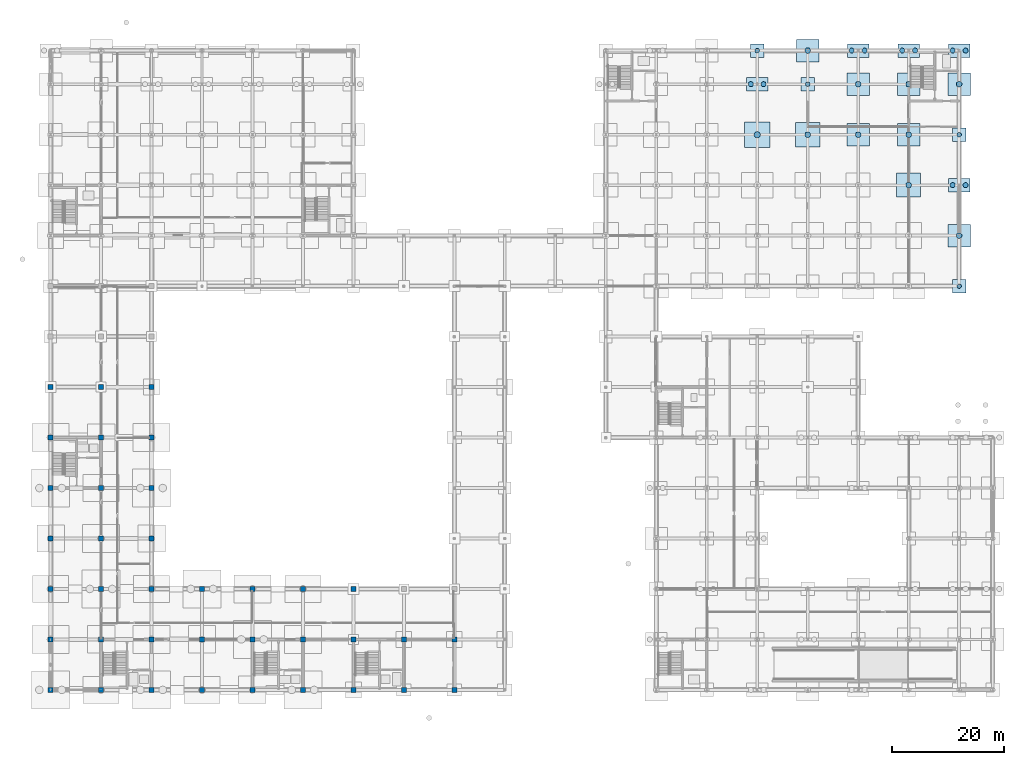
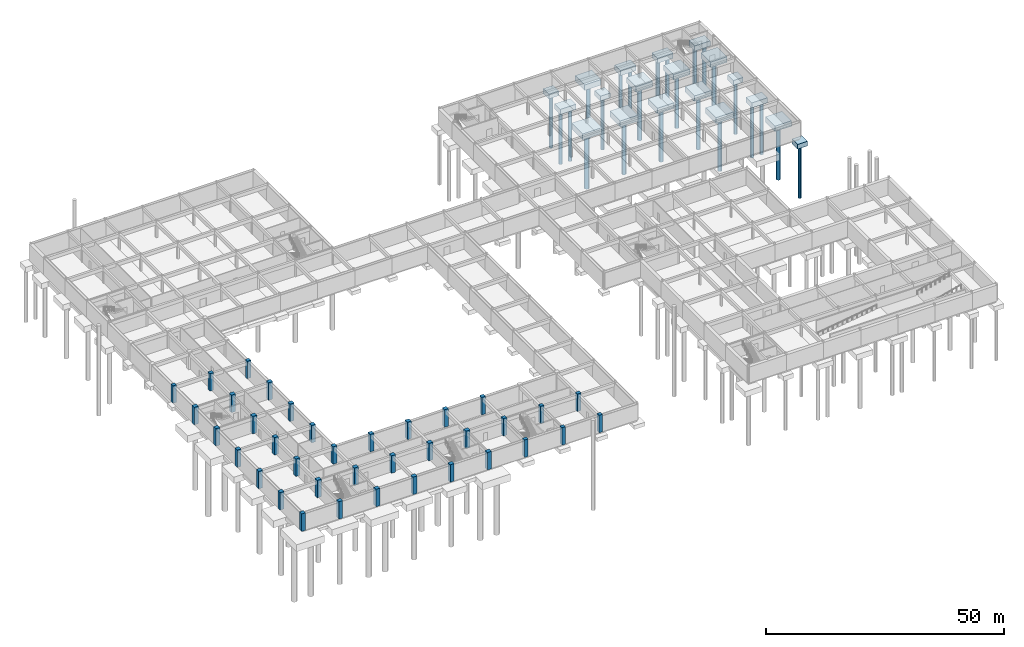
# One storey, part 4 of 41: 37 columns, 24 piles, 19 footings.
"""IFC4 building model written with IfcOpenShell, lengths in metres."""

import ifcopenshell
import ifcopenshell.guid

model = None  # the IFC model being written
_history = None  # IfcOwnerHistory: only IFC2X3 demands one
_inside = {}  # id of a spatial element -> (the spatial element, [elements in it])
_under = {}  # id of a project, library or spatial element -> (it, [spatial elements below it])
_declared = {}  # id of a project -> (the project, [libraries it declares])
_typed = {}  # id of a type object -> (the type object, [elements of that type])
_made_of = {}  # id of a material, layer set ... -> (it, [elements and type objects made of it])


def new_model(schema):
    """Start an empty IFC model of exactly this schema.

    Asked for "IFC4X3", IfcOpenShell would pick the latest addendum, in which some entities
    have other attributes; the version numbers below select the first issue.
    IFC2X3 requires an IfcOwnerHistory on every rooted entity: one is made here for all.
    """
    global model, _history
    if schema == "IFC4X3":
        model = ifcopenshell.file(schema_version=(4, 3, 0, 0))
    else:
        model = ifcopenshell.file(schema=schema)
    _inside.clear()
    _under.clear()
    _declared.clear()
    _typed.clear()
    _made_of.clear()
    _history = None
    if model.schema == "IFC2X3":
        org = make("IfcOrganization", Name="unknown")
        user = make(
            "IfcPersonAndOrganization",
            ThePerson=make("IfcPerson", FamilyName="unknown"),
            TheOrganization=org,
        )
        app = make(
            "IfcApplication",
            ApplicationDeveloper=org,
            Version="unknown",
            ApplicationFullName="unknown",
            ApplicationIdentifier="unknown",
        )
        _history = make(
            "IfcOwnerHistory",
            OwningUser=user,
            OwningApplication=app,
            ChangeAction="ADDED",
            CreationDate=0,
        )
    return model


def make(cls, **values):
    """One entity of the class cls with the attributes given. An attribute that is None is left unset."""
    return model.create_entity(
        cls, **{name: value for name, value in values.items() if value is not None}
    )


def rooted(cls, **values):
    """An entity with a GlobalId (a new one), such as an element, a storey or a relation."""
    return make(cls, GlobalId=ifcopenshell.guid.new(), OwnerHistory=_history, **values)


def si_unit(unit_type, name, prefix=None):
    """IfcSIUnit, for example si_unit("LENGTHUNIT", "METRE", prefix="MILLI")."""
    return make("IfcSIUnit", UnitType=unit_type, Prefix=prefix, Name=name)


def assignment(units):
    """IfcUnitAssignment: the units of a project."""
    return None if units is None else make("IfcUnitAssignment", Units=units)


def point(xyz):
    """IfcCartesianPoint."""
    return None if xyz is None else make("IfcCartesianPoint", Coordinates=xyz)


def direction(xyz):
    """IfcDirection."""
    return None if xyz is None else make("IfcDirection", DirectionRatios=xyz)


def frame(location, z_axis=None, x_axis=None):
    """IfcAxis2Placement3D, a coordinate frame: its origin and axes. An axis left out is left unset."""
    return make(
        "IfcAxis2Placement3D",
        Location=point(location),
        Axis=direction(z_axis),
        RefDirection=direction(x_axis),
    )


def frame_2d(location, x_axis=None):
    """IfcAxis2Placement2D, a coordinate frame in the plane: its origin and x axis."""
    return make(
        "IfcAxis2Placement2D", Location=point(location), RefDirection=direction(x_axis)
    )


def origin():
    """The frame at (0, 0, 0) with its axes left unset."""
    return frame((0.0, 0.0, 0.0))


def origin_2d():
    """The frame at (0, 0) in the plane with its x axis left unset."""
    return frame_2d((0.0, 0.0))


def place(relative_to, where):
    """IfcLocalPlacement: puts the frame where relative to a parent placement (None: the world)."""
    return make(
        "IfcLocalPlacement", PlacementRelTo=relative_to, RelativePlacement=where
    )


def context(
    kind, dimensions, precision=None, world=None, true_north=None, identifier=None
):
    """IfcGeometricRepresentationContext, for example the 3D "Model" context."""
    return make(
        "IfcGeometricRepresentationContext",
        ContextIdentifier=identifier,
        ContextType=kind,
        CoordinateSpaceDimension=dimensions,
        Precision=precision,
        WorldCoordinateSystem=world,
        TrueNorth=true_north,
    )


def subcontext(parent, identifier, kind, view, scale=None):
    """IfcGeometricRepresentationSubContext, for example "Body" below "Model"."""
    return make(
        "IfcGeometricRepresentationSubContext",
        ContextIdentifier=identifier,
        ContextType=kind,
        ParentContext=parent,
        TargetScale=scale,
        TargetView=view,
    )


def project(units=None, contexts=None):
    """IfcProject with its units and contexts."""
    return rooted(
        "IfcProject",
        Name="project",
        RepresentationContexts=contexts,
        UnitsInContext=assignment(units),
    )


def spatial(cls, under=None, at=None, **own):
    """A site, building, storey or space (cls), placed at a placement, below another one or the project."""
    s = rooted(cls, ObjectPlacement=at, **own)
    if under is not None:
        _under.setdefault(under.id(), (under, []))[1].append(s)
    return s


def profile(cls, at=None, kind="AREA", **sizes):
    """A parametric profile (cls). Its sizes go by their IFC names, for example OverallWidth=200.0."""
    return make(cls, ProfileType=kind, Position=at, **sizes)


def rectangle(**sizes):
    """IfcRectangleProfileDef."""
    return profile("IfcRectangleProfileDef", **sizes)


def circle(**sizes):
    """IfcCircleProfileDef."""
    return profile("IfcCircleProfileDef", **sizes)


def extrude(swept, where, along, depth):
    """IfcExtrudedAreaSolid: the profile swept, set in the frame where, extruded along a direction by depth."""
    return make(
        "IfcExtrudedAreaSolid",
        SweptArea=swept,
        Position=where,
        ExtrudedDirection=direction(along),
        Depth=depth,
    )


def shape(context_of_items, identifier, shape_type, items):
    """IfcShapeRepresentation: the items that make up one representation, for example the "Body"."""
    return make(
        "IfcShapeRepresentation",
        ContextOfItems=context_of_items,
        RepresentationIdentifier=identifier,
        RepresentationType=shape_type,
        Items=items,
    )


def material(Name=None, Category=None):
    """IfcMaterial."""
    return make("IfcMaterial", Name=Name, Category=Category)


def material_profile(
    of_material, cross_section, Name=None, Category=None, Priority=None
):
    """IfcMaterialProfile: a cross section and its material."""
    return make(
        "IfcMaterialProfile",
        Name=Name,
        Material=of_material,
        Profile=cross_section,
        Priority=Priority,
        Category=Category,
    )


def profile_set(profiles, Name=None, composite=None):
    """IfcMaterialProfileSet."""
    return make(
        "IfcMaterialProfileSet",
        Name=Name,
        MaterialProfiles=profiles,
        CompositeProfile=composite,
    )


def made_of(thing, what):
    """Note that an element or type object is made of a material, layer set ...; save() writes the relation."""
    if what is not None:
        _made_of.setdefault(what.id(), (what, []))[1].append(thing)
    return thing


def type_object(cls, material=None, **own):
    """A type object (cls), such as IfcWallType, which elements share."""
    return made_of(rooted(cls, **own), material)


def element(
    cls,
    number,
    at=None,
    inside=None,
    cuts=None,
    type_object=None,
    material=None,
    context=None,
    identifier="Body",
    shape_type=None,
    held_by="IfcProductDefinitionShape",
    body=None,
    shapes=None,
    **own,
):
    """One element of the class cls, such as IfcWall. Its Tag is "e" and its number.

    at: its placement. inside: the storey or other place that contains it. cuts: it is an
    opening in that element (IfcRelVoidsElement). A single representation is given by context,
    identifier, shape_type and body (its items); several are given by shapes. held_by: the class
    of the entity that holds the representations. save() writes the other relations.
    """
    e = rooted(cls, Tag="e%d" % number, ObjectPlacement=at, **own)
    if body is not None:
        shapes = [shape(context, identifier, shape_type, body)]
    if shapes is not None:
        e.Representation = make(held_by, Representations=shapes)
    if inside is not None:
        _inside.setdefault(inside.id(), (inside, []))[1].append(e)
    if cuts is not None:
        rooted(
            "IfcRelVoidsElement", RelatingBuildingElement=cuts, RelatedOpeningElement=e
        )
    if type_object is not None:
        _typed.setdefault(type_object.id(), (type_object, []))[1].append(e)
    return made_of(e, material)


def aggregate(whole, parts):
    """IfcRelAggregates: a whole, such as a stair, and the parts it consists of."""
    return rooted("IfcRelAggregates", RelatingObject=whole, RelatedObjects=parts)


def save(model, path):
    """Write the relations noted so far, then the file.

    IfcRelAggregates (storeys below a building ...), IfcRelContainedInSpatialStructure (elements
    in a storey), IfcRelDefinesByType, IfcRelAssociatesMaterial and IfcRelDeclares: one each for
    every whole, place, type object, material and project.
    """
    for whole, parts in _under.values():
        aggregate(whole, parts)
    for where, things in _inside.values():
        rooted(
            "IfcRelContainedInSpatialStructure",
            RelatedElements=things,
            RelatingStructure=where,
        )
    for kind, things in _typed.values():
        rooted("IfcRelDefinesByType", RelatedObjects=things, RelatingType=kind)
    for what, things in _made_of.values():
        rooted("IfcRelAssociatesMaterial", RelatedObjects=things, RelatingMaterial=what)
    for by, libraries in _declared.values():
        rooted("IfcRelDeclares", RelatingContext=by, RelatedDefinitions=libraries)
    model.write(path)


model = new_model("IFC4")

# Units and contexts
model_context = context("Model", 3, precision=1e-05, world=origin(), true_north=direction((0.0, 1.0)))
body_context = subcontext(model_context, "Body", "Model", "MODEL_VIEW")
ifc_project = project(units=[si_unit("LENGTHUNIT", "METRE"), si_unit("AREAUNIT", "SQUARE_METRE"), si_unit("VOLUMEUNIT", "CUBIC_METRE"), si_unit("PLANEANGLEUNIT", "RADIAN"), si_unit("MASSUNIT", "GRAM", prefix="KILO")], contexts=[model_context])

# Site, building, storey
site_placement = place(None, origin())
site = spatial("IfcSite", under=ifc_project, at=site_placement, CompositionType="ELEMENT")
building_placement = place(site_placement, origin())
building = spatial("IfcBuilding", under=site, at=building_placement, Name="Palais des Congres Ocreval", CompositionType="ELEMENT")
storey_placement = place(building_placement, frame((0.0, 0.0, -8.9599609375)))
storey = spatial("IfcBuildingStorey", under=building, at=storey_placement, Name="B2", CompositionType="ELEMENT", Elevation=-8.9599609375)

# Piles
ifc_material_1 = material(Name="Concrete C35/45", Category="concrete")
ifc_material_profile_1 = material_profile(ifc_material_1, circle(Radius=0.5, at=origin_2d()), Name="BORED PILE 1000")
ifc_profile_set_1 = profile_set([ifc_material_profile_1], Name="Concrete C35/45")
pile_type_1 = type_object("IfcPileType", Name="Bored Pile D1000 Concrete C35/45", PredefinedType="BORED", material=ifc_profile_set_1)
for number, where, z_axis, x_axis, name in (
    (1, (135.0, 99.0, -2.10009765625), (0.0, 0.0, -1.0), (1.0, 0.0, 0.0), "Bored Pile PI03"),
    (2, (135.0, 114.0, -2.0), (0.0, 0.0, -1.0), (1.0, 0.0, 0.0), "Bored Pile PI03"),
    (3, (144.0, 99.0, -2.0), (0.0, 0.0, -1.0), (1.0, 0.0, 0.0), "Bored Pile PI03"),
    (4, (144.0, 108.0, -2.0), (0.0, 0.0, -1.0), (1.0, 0.0, 0.0), "Bored Pile PI03"),
    (5, (153.0, 90.0, -2.10009765625), (0.0, 0.0, -1.0), (1.0, 0.0, 0.0), "Bored Pile PI03"),
    (6, (153.0, 99.0, -2.0), (0.0, 0.0, -1.0), (1.0, 0.0, 0.0), "Bored Pile PI03"),
    (7, (153.0, 108.0, -2.0), (0.0, 0.0, -1.0), (1.0, 0.0, 0.0), "Bored Pile PI03"),
    (8, (162.0, 81.0, -2.0), (0.0, 0.0, -1.0), (1.0, 0.0, 0.0), "Bored Pile PI03"),
    (9, (162.0, 108.0, -2.0), (0.0, 0.0, -1.0), (1.0, 0.0, 0.0), "Bored Pile PI03"),
):
    element("IfcPile", number, at=place(storey_placement, frame(where, z_axis=z_axis, x_axis=x_axis)), inside=storey, type_object=pile_type_1, Name=name, PredefinedType="BORED", context=body_context, shape_type="SweptSolid", body=[
        extrude(circle(Radius=0.5, at=origin_2d()), origin(), (0.0, 0.0, 1.0), 14.0),
    ])
ifc_material_profile_2 = material_profile(ifc_material_1, circle(Radius=0.550048828125, at=origin_2d()), Name="BORED PILE 1100")
ifc_profile_set_2 = profile_set([ifc_material_profile_2], Name="Concrete C35/45")
pile_type_2 = type_object("IfcPileType", Name="Bored Pile D1100 Concrete C35/45", PredefinedType="BORED", material=ifc_profile_set_2)
pile_placement = place(storey_placement, frame((126.0, 99.0, -2.10009765625), z_axis=(0.0, 0.0, -1.0), x_axis=(1.0, 0.0, 0.0)))
element("IfcPile", 10, at=pile_placement, inside=storey, type_object=pile_type_2, Name="Bored Pile PI04", PredefinedType="BORED", context=body_context, shape_type="SweptSolid", body=[
    extrude(circle(Radius=0.550048828125, at=origin_2d()), origin(), (0.0, 0.0, 1.0), 14.5),
])
ifc_material_profile_3 = material_profile(ifc_material_1, circle(Radius=0.39990234375, at=origin_2d()), Name="BORED PILE 800")
ifc_profile_set_3 = profile_set([ifc_material_profile_3], Name="Concrete C35/45")
pile_type_3 = type_object("IfcPileType", Name="Bored Pile D800 Concrete C35/45", PredefinedType="BORED", material=ifc_profile_set_3)
for number, where, z_axis, x_axis, name in (
    (11, (126.0, 114.0, -1.800048828125), (0.0, 0.0, -1.0), (1.0, 0.0, 0.0), "Bored Pile PI01"),
    (12, (135.0, 108.0, -1.800048828125), (0.0, 0.0, -1.0), (1.0, 0.0, 0.0), "Bored Pile PI01"),
    (13, (162.0, 72.0, -1.800048828125), (0.0, 0.0, -1.0), (1.0, 0.0, 0.0), "Bored Pile PI01"),
    (14, (162.0, 99.0, -1.800048828125), (0.0, 0.0, -1.0), (1.0, 0.0, 0.0), "Bored Pile PI01"),
):
    element("IfcPile", number, at=place(storey_placement, frame(where, z_axis=z_axis, x_axis=x_axis)), inside=storey, type_object=pile_type_3, Name=name, PredefinedType="BORED", context=body_context, shape_type="SweptSolid", body=[
        extrude(circle(Radius=0.39990234375, at=origin_2d()), origin(), (0.0, 0.0, 1.0), 13.5),
    ])
ifc_material_profile_4 = material_profile(ifc_material_1, circle(Radius=0.449951171875, at=origin_2d()), Name="BORED PILE 900")
ifc_profile_set_4 = profile_set([ifc_material_profile_4], Name="Concrete C35/45")
pile_type_4 = type_object("IfcPileType", Name="Bored Pile D900 Concrete C35/45", PredefinedType="BORED", material=ifc_profile_set_4)
for number, where, z_axis, x_axis, name in (
    (15, (124.85009765625, 108.0, -1.900146484375), (0.0, 0.0, -1.0), (1.0, 0.0, 0.0), "Bored Pile PI02"),
    (16, (127.14990234375, 108.0, -1.900146484375), (0.0, 0.0, -1.0), (1.0, 0.0, 0.0), "Bored Pile PI02"),
    (17, (142.85009765625, 114.0, -1.900146484375), (0.0, 0.0, -1.0), (1.0, 0.0, 0.0), "Bored Pile PI02"),
    (18, (145.14990234375, 114.0, -1.900146484375), (0.0, 0.0, -1.0), (1.0, 0.0, 0.0), "Bored Pile PI02"),
    (19, (151.85009765625, 114.0, -1.900146484375), (0.0, 0.0, -1.0), (1.0, 0.0, 0.0), "Bored Pile PI02"),
    (20, (154.14990234375, 114.0, -1.900146484375), (0.0, 0.0, -1.0), (1.0, 0.0, 0.0), "Bored Pile PI02"),
    (21, (160.85009765625, 90.0, -1.900146484375), (0.0, 0.0, -1.0), (1.0, 0.0, 0.0), "Bored Pile PI02"),
    (22, (163.14990234375, 90.0, -1.900146484375), (0.0, 0.0, -1.0), (1.0, 0.0, 0.0), "Bored Pile PI02"),
    (23, (160.85009765625, 114.0, -1.900146484375), (0.0, 0.0, -1.0), (1.0, 0.0, 0.0), "Bored Pile PI02"),
    (24, (163.14990234375, 114.0, -1.900146484375), (0.0, 0.0, -1.0), (1.0, 0.0, 0.0), "Bored Pile PI02"),
):
    element("IfcPile", number, at=place(storey_placement, frame(where, z_axis=z_axis, x_axis=x_axis)), inside=storey, type_object=pile_type_4, Name=name, PredefinedType="BORED", context=body_context, shape_type="SweptSolid", body=[
        extrude(circle(Radius=0.449951171875, at=origin_2d()), origin(), (0.0, 0.0, 1.0), 13.5),
    ])

# Footings
footing_type_1 = type_object("IfcFootingType", Name="Pile Cap 2400x2400x1200 Concrete C35/45", PredefinedType="PILE_CAP", material=ifc_material_1)
for number, where, z_axis, x_axis, name in (
    (25, (126.0, 114.0, -1.7998046875), (0.0, 0.0, 1.0), (1.0, 0.0, 0.0), "Foundation PC01 (126,114)"),
    (26, (135.0, 108.0, -1.7998046875), (0.0, 0.0, 1.0), (1.0, 0.0, 0.0), "Foundation PC01 (135,108)"),
    (27, (162.0, 72.0, -1.7998046875), (0.0, 0.0, 1.0), (1.0, 0.0, 0.0), "Foundation PC01 (162,72)"),
    (28, (162.0, 99.0, -1.7998046875), (0.0, 0.0, 1.0), (1.0, 0.0, 0.0), "Foundation PC01 (162,99)"),
):
    element("IfcFooting", number, at=place(storey_placement, frame(where, z_axis=z_axis, x_axis=x_axis)), inside=storey, type_object=footing_type_1, Name=name, PredefinedType="PILE_CAP", context=body_context, shape_type="SweptSolid", body=[
        extrude(rectangle(XDim=2.39990234375, YDim=2.39990234375, at=origin_2d()), origin(), (0.0, 0.0, 1.0), 1.199951171875),
    ])
footing_type_2 = type_object("IfcFootingType", Name="Pile Cap 3800x2400x1300 Concrete C35/45", PredefinedType="PILE_CAP", material=ifc_material_1)
for number, where, z_axis, x_axis, name in (
    (29, (126.0, 108.0, -1.89990234375), (0.0, 0.0, 1.0), (1.0, 0.0, 0.0), "Foundation PC02 (126,108)"),
    (30, (144.0, 114.0, -1.89990234375), (0.0, 0.0, 1.0), (1.0, 0.0, 0.0), "Foundation PC02 (144,114)"),
    (31, (153.0, 114.0, -1.89990234375), (0.0, 0.0, 1.0), (1.0, 0.0, 0.0), "Foundation PC02 (153,114)"),
    (32, (162.0, 90.0, -1.89990234375), (0.0, 0.0, 1.0), (1.0, 0.0, 0.0), "Foundation PC02 (162,90)"),
    (33, (162.0, 114.0, -1.89990234375), (0.0, 0.0, 1.0), (1.0, 0.0, 0.0), "Foundation PC02 (162,114)"),
):
    element("IfcFooting", number, at=place(storey_placement, frame(where, z_axis=z_axis, x_axis=x_axis)), inside=storey, type_object=footing_type_2, Name=name, PredefinedType="PILE_CAP", context=body_context, shape_type="SweptSolid", body=[
        extrude(rectangle(XDim=3.800048828125, YDim=2.39990234375, at=origin_2d()), origin(), (0.0, 0.0, 1.0), 1.300048828125),
    ])
footing_type_3 = type_object("IfcFootingType", Name="Pile Cap 4000x4000x1400 Concrete C35/45", PredefinedType="PILE_CAP", material=ifc_material_1)
for number, where, z_axis, x_axis, name in (
    (34, (135.0, 114.0, -2.0), (0.0, 0.0, 1.0), (1.0, 0.0, 0.0), "Foundation PC03 (135,114)"),
    (35, (144.0, 99.0, -2.0), (0.0, 0.0, 1.0), (1.0, 0.0, 0.0), "Foundation PC03 (144,99)"),
    (36, (144.0, 108.0, -2.0), (0.0, 0.0, 1.0), (1.0, 0.0, 0.0), "Foundation PC03 (144,108)"),
    (37, (153.0, 99.0, -2.0), (0.0, 0.0, 1.0), (1.0, 0.0, 0.0), "Foundation PC03 (153,99)"),
    (38, (153.0, 108.0, -2.0), (0.0, 0.0, 1.0), (1.0, 0.0, 0.0), "Foundation PC03 (153,108)"),
    (39, (162.0, 81.0, -2.0), (0.0, 0.0, 1.0), (1.0, 0.0, 0.0), "Foundation PC03 (162,81)"),
    (40, (162.0, 108.0, -2.0), (0.0, 0.0, 1.0), (1.0, 0.0, 0.0), "Foundation PC03 (162,108)"),
):
    element("IfcFooting", number, at=place(storey_placement, frame(where, z_axis=z_axis, x_axis=x_axis)), inside=storey, type_object=footing_type_3, Name=name, PredefinedType="PILE_CAP", context=body_context, shape_type="SweptSolid", body=[
        extrude(rectangle(XDim=4.0, YDim=4.0, at=origin_2d()), origin(), (0.0, 0.0, 1.0), 1.39990234375),
    ])
footing_type_4 = type_object("IfcFootingType", Name="Pile Cap 4300x4300x1500 Concrete C35/45", PredefinedType="PILE_CAP", material=ifc_material_1)
for number, where, z_axis, x_axis, name in (
    (41, (135.0, 99.0, -2.10009765625), (0.0, 0.0, 1.0), (1.0, 0.0, 0.0), "Foundation PC04 (135,99)"),
    (42, (153.0, 90.0, -2.10009765625), (0.0, 0.0, 1.0), (1.0, 0.0, 0.0), "Foundation PC04 (153,90)"),
):
    element("IfcFooting", number, at=place(storey_placement, frame(where, z_axis=z_axis, x_axis=x_axis)), inside=storey, type_object=footing_type_4, Name=name, PredefinedType="PILE_CAP", context=body_context, shape_type="SweptSolid", body=[
        extrude(rectangle(XDim=4.300048828125, YDim=4.300048828125, at=origin_2d()), origin(), (0.0, 0.0, 1.0), 1.5),
    ])
footing_type_5 = type_object("IfcFootingType", Name="Pile Cap 4600x4600x1500 Concrete C35/45", PredefinedType="PILE_CAP", material=ifc_material_1)
footing_placement = place(storey_placement, frame((126.0, 99.0, -2.10009765625), z_axis=(0.0, 0.0, 1.0), x_axis=(1.0, 0.0, 0.0)))
element("IfcFooting", 43, at=footing_placement, inside=storey, type_object=footing_type_5, Name="Foundation PC05 (126,99)", PredefinedType="PILE_CAP", context=body_context, shape_type="SweptSolid", body=[
    extrude(rectangle(XDim=4.60009765625, YDim=4.60009765625, at=origin_2d()), origin(), (0.0, 0.0, 1.0), 1.5),
])

# Columns
ifc_material_2 = material(Name="Concrete C40/50", Category="concrete")
ifc_material_profile_5 = material_profile(ifc_material_2, rectangle(XDim=0.85009765625, YDim=0.85009765625, at=origin_2d()), Name="RC 850x850")
ifc_profile_set_5 = profile_set([ifc_material_profile_5], Name="Concrete C40/50")
column_type_1 = type_object("IfcColumnType", Name="Column RC 850x850 Concrete C40/50", PredefinedType="COLUMN", material=ifc_profile_set_5)
for number, where, z_axis, x_axis, name in (
    (44, (0.0, 54.0, 0.0), (0.0, 0.0, 1.0), (1.0, 0.0, 0.0), "Column C21 B2"),
    (45, (9.0, 54.0, 0.0), (0.0, 0.0, 1.0), (1.0, 0.0, 0.0), "Column C21 B2"),
    (46, (18.0, 54.0, 0.0), (0.0, 0.0, 1.0), (1.0, 0.0, 0.0), "Column C21 B2"),
    (47, (54.0, 0.0, 0.0), (0.0, 0.0, 1.0), (1.0, 0.0, 0.0), "Column C21 B2"),
    (48, (54.0, 9.0, 0.0), (0.0, 0.0, 1.0), (1.0, 0.0, 0.0), "Column C21 B2"),
    (49, (54.0, 18.0, 0.0), (0.0, 0.0, 1.0), (1.0, 0.0, 0.0), "Column C21 B2"),
    (50, (63.0, 0.0, 0.0), (0.0, 0.0, 1.0), (1.0, 0.0, 0.0), "Column C21 B2"),
    (51, (63.0, 9.0, 0.0), (0.0, 0.0, 1.0), (1.0, 0.0, 0.0), "Column C21 B2"),
    (52, (72.0, 0.0, 0.0), (0.0, 0.0, 1.0), (1.0, 0.0, 0.0), "Column C21 B2"),
    (53, (72.0, 9.0, 0.0), (0.0, 0.0, 1.0), (1.0, 0.0, 0.0), "Column C21 B2"),
):
    element("IfcColumn", number, at=place(storey_placement, frame(where, z_axis=z_axis, x_axis=x_axis)), inside=storey, type_object=column_type_1, Name=name, PredefinedType="COLUMN", context=body_context, shape_type="SweptSolid", body=[
        extrude(rectangle(XDim=0.85009765625, YDim=0.85009765625, at=origin_2d()), origin(), (0.0, 0.0, 1.0), 4.47998046875),
    ])
ifc_material_profile_6 = material_profile(ifc_material_2, rectangle(XDim=0.949951171875, YDim=0.949951171875, at=origin_2d()), Name="RC 950x950")
ifc_profile_set_6 = profile_set([ifc_material_profile_6], Name="Concrete C40/50")
column_type_2 = type_object("IfcColumnType", Name="Column RC 950x950 Concrete C40/50", PredefinedType="COLUMN", material=ifc_profile_set_6)
for number, where, z_axis, x_axis, name in (
    (54, (0.0, 0.0, 0.0), (0.0, 0.0, 1.0), (1.0, 0.0, 0.0), "Column C20 B2"),
    (55, (0.0, 9.0, 0.0), (0.0, 0.0, 1.0), (1.0, 0.0, 0.0), "Column C20 B2"),
    (56, (0.0, 18.0, 0.0), (0.0, 0.0, 1.0), (1.0, 0.0, 0.0), "Column C20 B2"),
    (57, (0.0, 27.0, 0.0), (0.0, 0.0, 1.0), (1.0, 0.0, 0.0), "Column C20 B2"),
    (58, (0.0, 36.0, 0.0), (0.0, 0.0, 1.0), (1.0, 0.0, 0.0), "Column C20 B2"),
    (59, (0.0, 45.0, 0.0), (0.0, 0.0, 1.0), (1.0, 0.0, 0.0), "Column C20 B2"),
    (60, (9.0, 0.0, 0.0), (0.0, 0.0, 1.0), (1.0, 0.0, 0.0), "Column C20 B2"),
    (61, (9.0, 9.0, 0.0), (0.0, 0.0, 1.0), (1.0, 0.0, 0.0), "Column C20 B2"),
    (62, (9.0, 18.0, 0.0), (0.0, 0.0, 1.0), (1.0, 0.0, 0.0), "Column C20 B2"),
    (63, (9.0, 27.0, 0.0), (0.0, 0.0, 1.0), (1.0, 0.0, 0.0), "Column C20 B2"),
    (64, (9.0, 36.0, 0.0), (0.0, 0.0, 1.0), (1.0, 0.0, 0.0), "Column C20 B2"),
    (65, (9.0, 45.0, 0.0), (0.0, 0.0, 1.0), (1.0, 0.0, 0.0), "Column C20 B2"),
    (66, (18.0, 0.0, 0.0), (0.0, 0.0, 1.0), (1.0, 0.0, 0.0), "Column C20 B2"),
    (67, (18.0, 9.0, 0.0), (0.0, 0.0, 1.0), (1.0, 0.0, 0.0), "Column C20 B2"),
    (68, (18.0, 18.0, 0.0), (0.0, 0.0, 1.0), (1.0, 0.0, 0.0), "Column C20 B2"),
    (69, (18.0, 27.0, 0.0), (0.0, 0.0, 1.0), (1.0, 0.0, 0.0), "Column C20 B2"),
    (70, (18.0, 36.0, 0.0), (0.0, 0.0, 1.0), (1.0, 0.0, 0.0), "Column C20 B2"),
    (71, (18.0, 45.0, 0.0), (0.0, 0.0, 1.0), (1.0, 0.0, 0.0), "Column C20 B2"),
    (72, (27.0, 0.0, 0.0), (0.0, 0.0, 1.0), (1.0, 0.0, 0.0), "Column C20 B2"),
    (73, (27.0, 9.0, 0.0), (0.0, 0.0, 1.0), (1.0, 0.0, 0.0), "Column C20 B2"),
    (74, (27.0, 18.0, 0.0), (0.0, 0.0, 1.0), (1.0, 0.0, 0.0), "Column C20 B2"),
    (75, (36.0, 0.0, 0.0), (0.0, 0.0, 1.0), (1.0, 0.0, 0.0), "Column C20 B2"),
    (76, (36.0, 9.0, 0.0), (0.0, 0.0, 1.0), (1.0, 0.0, 0.0), "Column C20 B2"),
    (77, (36.0, 18.0, 0.0), (0.0, 0.0, 1.0), (1.0, 0.0, 0.0), "Column C20 B2"),
    (78, (45.0, 0.0, 0.0), (0.0, 0.0, 1.0), (1.0, 0.0, 0.0), "Column C20 B2"),
    (79, (45.0, 9.0, 0.0), (0.0, 0.0, 1.0), (1.0, 0.0, 0.0), "Column C20 B2"),
    (80, (45.0, 18.0, 0.0), (0.0, 0.0, 1.0), (1.0, 0.0, 0.0), "Column C20 B2"),
):
    element("IfcColumn", number, at=place(storey_placement, frame(where, z_axis=z_axis, x_axis=x_axis)), inside=storey, type_object=column_type_2, Name=name, PredefinedType="COLUMN", context=body_context, shape_type="SweptSolid", body=[
        extrude(rectangle(XDim=0.949951171875, YDim=0.949951171875, at=origin_2d()), origin(), (0.0, 0.0, 1.0), 4.47998046875),
    ])

save(model, "model.ifc")
